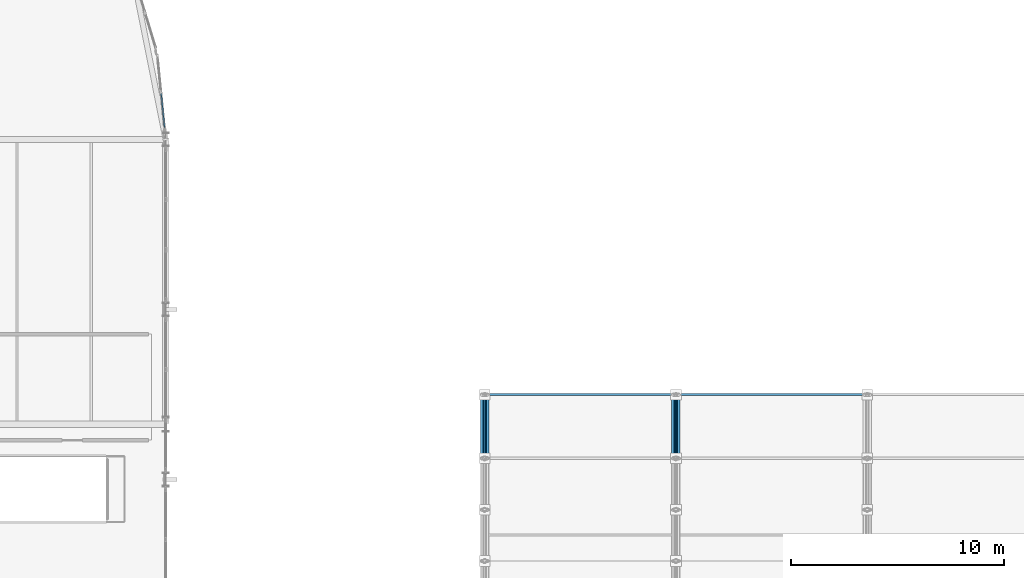
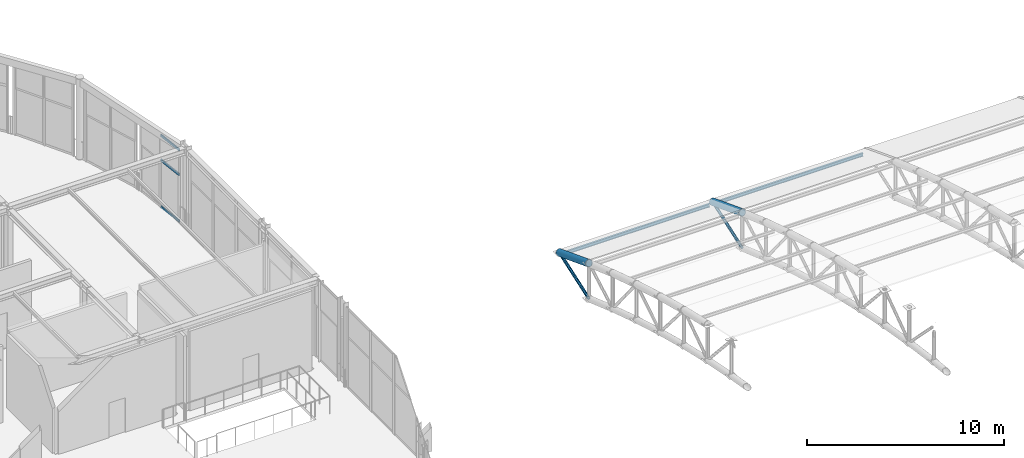
# One storey, part 85 of 195: 9 members, 1 element without a shape of its own.
"""IFC4 building model written with IfcOpenShell, lengths in metres."""

from ifc_helpers import new_model, si_unit, direction, frame, origin, origin_2d, place, context, subcontext, project, spatial, hollow_rectangle, hollow_circle, i_section, extrude, material, layer, layer_set, material_profile, profile_set, type_object, element, aggregate, save


model = new_model("IFC4")

# Units and contexts
model_context = context("Model", 3, precision=1e-05, world=origin(), true_north=direction((0.0, 1.0)))
body_context = subcontext(model_context, "Body", "Model", "MODEL_VIEW")
ifc_project = project(units=[si_unit("LENGTHUNIT", "METRE"), si_unit("AREAUNIT", "SQUARE_METRE"), si_unit("VOLUMEUNIT", "CUBIC_METRE"), si_unit("PLANEANGLEUNIT", "RADIAN"), si_unit("MASSUNIT", "GRAM", prefix="KILO")], contexts=[model_context])

# Site, building, storey
site_placement = place(None, origin())
site = spatial("IfcSite", under=ifc_project, at=site_placement, CompositionType="ELEMENT")
building_placement = place(site_placement, origin())
building = spatial("IfcBuilding", under=site, at=building_placement, Name="Marlcrest Central Station", CompositionType="ELEMENT")
storey_placement = place(building_placement, frame((0.0, 0.0, 9.800048828125)))
storey = spatial("IfcBuildingStorey", under=building, at=storey_placement, Name="L02", CompositionType="ELEMENT", Elevation=9.800048828125)

# Members
ifc_material_1 = material(Name="Steel S355", Category="steel")
ifc_material_profile_1 = material_profile(ifc_material_1, hollow_circle(Radius=0.203125, WallThickness=0.02001953125, at=origin_2d()), Name="CHS 406.4x20")
ifc_profile_set_1 = profile_set([ifc_material_profile_1], Name="Steel S355")
member_type_1 = type_object("IfcMemberType", Name="AC-01", PredefinedType="CHORD", material=ifc_profile_set_1)
for number, where, z_axis, x_axis, name in (
    (1, (144.0, 95.5, 1.599853515625), (0.0, 0.933324071143, -0.359035065453), (-1.0, 0.0, 0.0), "mem-AC-01-L02-01188"),
    (2, (153.0, 95.5, 1.599853515625), (0.0, 0.933324071143, -0.359035065453), (-1.0, 0.0, 0.0), "mem-AC-01-L02-01304"),
):
    element("IfcMember", number, at=place(storey_placement, frame(where, z_axis=z_axis, x_axis=x_axis)), inside=storey, type_object=member_type_1, Name=name, PredefinedType="CHORD", context=body_context, shape_type="SweptSolid", body=[
        extrude(hollow_circle(Radius=0.203125, WallThickness=0.02001953125, at=origin_2d()), origin(), (0.0, 0.0, 1.0), 3.21435546875),
    ])
ifc_material_profile_2 = material_profile(ifc_material_1, hollow_circle(Radius=0.084228515625, WallThickness=0.010009765625, at=origin_2d()), Name="CHS 168.3x10")
ifc_profile_set_2 = profile_set([ifc_material_profile_2], Name="Steel S355")
member_type_2 = type_object("IfcMemberType", Name="AD-01", PredefinedType="BRACE", material=ifc_profile_set_2)
for number, where, z_axis, x_axis, name in (
    (3, (144.0, 95.5, -0.60009765625), (0.0, 0.944260188635, 0.329200085296), (-1.0, 0.0, 0.0), "mem-AD-01-L02-01190"),
    (4, (153.0, 95.5, -0.60009765625), (0.0, 0.944260188635, 0.329200085296), (-1.0, 0.0, 0.0), "mem-AD-01-L02-01306"),
):
    element("IfcMember", number, at=place(storey_placement, frame(where, z_axis=z_axis, x_axis=x_axis)), inside=storey, type_object=member_type_2, Name=name, PredefinedType="BRACE", context=body_context, shape_type="SweptSolid", body=[
        extrude(hollow_circle(Radius=0.084228515625, WallThickness=0.010009765625, at=origin_2d()), origin(), (0.0, 0.0, 1.0), 3.177001953125),
    ])
ifc_material_profile_3 = material_profile(ifc_material_1, i_section(OverallWidth=0.10009765625, OverallDepth=0.199951171875, WebThickness=0.005615234375, FlangeThickness=0.008544921875, FilletRadius=0.011962890625, at=origin_2d()), Name="IPE 200")
ifc_profile_set_3 = profile_set([ifc_material_profile_3], Name="Steel S355")
member_type_3 = type_object("IfcMemberType", Name="PR-01", PredefinedType="PURLIN", material=ifc_profile_set_3)
for number, where, z_axis, x_axis, name in (
    (5, (144.179931640625, 98.5, 0.3056640625), (1.0, 0.0, 0.0), (0.0, 1.0, 0.0), "mem-PR-01-L02-01205"),
    (6, (153.179931640625, 98.5, 0.3056640625), (1.0, 0.0, 0.0), (0.0, 1.0, 0.0), "mem-PR-01-L02-01321"),
):
    element("IfcMember", number, at=place(storey_placement, frame(where, z_axis=z_axis, x_axis=x_axis)), inside=storey, type_object=member_type_3, Name=name, PredefinedType="PURLIN", context=body_context, shape_type="SweptSolid", body=[
        extrude(i_section(OverallWidth=0.10009765625, OverallDepth=0.199951171875, WebThickness=0.005615234375, FlangeThickness=0.008544921875, FilletRadius=0.011962890625, at=origin_2d()), origin(), (0.0, 0.0, 1.0), 8.64013671875),
    ])

# Curtain wall, members
ifc_material_2 = material(Name="Anodised aluminium and hurricane laminated glass", Category="aluminium")
ifc_layer = layer(ifc_material_2, 0.219970703125, Name="CW-U1")
ifc_layer_set = layer_set([ifc_layer], Name="Anodised aluminium and hurricane laminated glass")
curtain_wall_type = type_object("IfcCurtainWallType", Name="CW-U1", PredefinedType="USERDEFINED", material=ifc_layer_set)
curtain_wall_placement = place(storey_placement, origin())
curtain_wall = element("IfcCurtainWall", 7, at=curtain_wall_placement, inside=storey, type_object=curtain_wall_type, Name="cw-L02-0082", ObjectType="UNITISED_CURTAIN_WALL", PredefinedType="USERDEFINED")
ifc_material_3 = material(Name="Anodised aluminium 6063-T6", Category="aluminium")
ifc_material_profile_4 = material_profile(ifc_material_3, hollow_rectangle(XDim=0.06005859375, YDim=0.14990234375, WallThickness=0.00390625, at=origin_2d()), Name="AA-RHS 150x60x4")
ifc_profile_set_4 = profile_set([ifc_material_profile_4], Name="Anodised aluminium 6063-T6")
member_type_4 = type_object("IfcMemberType", Name="TR-01", PredefinedType="USERDEFINED", material=ifc_profile_set_4)
member_1_placement = place(storey_placement, frame((128.785888671875, 112.669921875, 0.0400390625), z_axis=(0.098157974157, -0.995170845689, 0.0), x_axis=(0.995170845689, 0.098157974157, 0.0)))
member_1 = element("IfcMember", 8, at=member_1_placement, type_object=member_type_4, Name="cw-L02-0082-tr-1-sill", ObjectType="TRANSOM", PredefinedType="USERDEFINED", context=body_context, shape_type="SweptSolid", body=[
    extrude(hollow_rectangle(XDim=0.06005859375, YDim=0.14990234375, WallThickness=0.00390625, at=origin_2d()), origin(), (0.0, 0.0, 1.0), 1.61669921875),
])
member_2_placement = place(storey_placement, frame((128.785888671875, 112.669921875, 2.925048828125), z_axis=(0.098157974157, -0.995170845689, 0.0), x_axis=(0.995170845689, 0.098157974157, 0.0)))
member_2 = element("IfcMember", 9, at=member_2_placement, type_object=member_type_4, Name="cw-L02-0082-tr-1-mid", ObjectType="TRANSOM", PredefinedType="USERDEFINED", context=body_context, shape_type="SweptSolid", body=[
    extrude(hollow_rectangle(XDim=0.06005859375, YDim=0.14990234375, WallThickness=0.00390625, at=origin_2d()), origin(), (0.0, 0.0, 1.0), 1.61669921875),
])
member_3_placement = place(storey_placement, frame((128.785888671875, 112.669921875, 4.4599609375), z_axis=(0.098157974157, -0.995170845689, 0.0), x_axis=(0.995170845689, 0.098157974157, 0.0)))
member_3 = element("IfcMember", 10, at=member_3_placement, type_object=member_type_4, Name="cw-L02-0082-tr-1-head", ObjectType="TRANSOM", PredefinedType="USERDEFINED", context=body_context, shape_type="SweptSolid", body=[
    extrude(hollow_rectangle(XDim=0.06005859375, YDim=0.14990234375, WallThickness=0.00390625, at=origin_2d()), origin(), (0.0, 0.0, 1.0), 1.61669921875),
])
aggregate(curtain_wall, [member_1, member_2, member_3])

save(model, "model.ifc")
